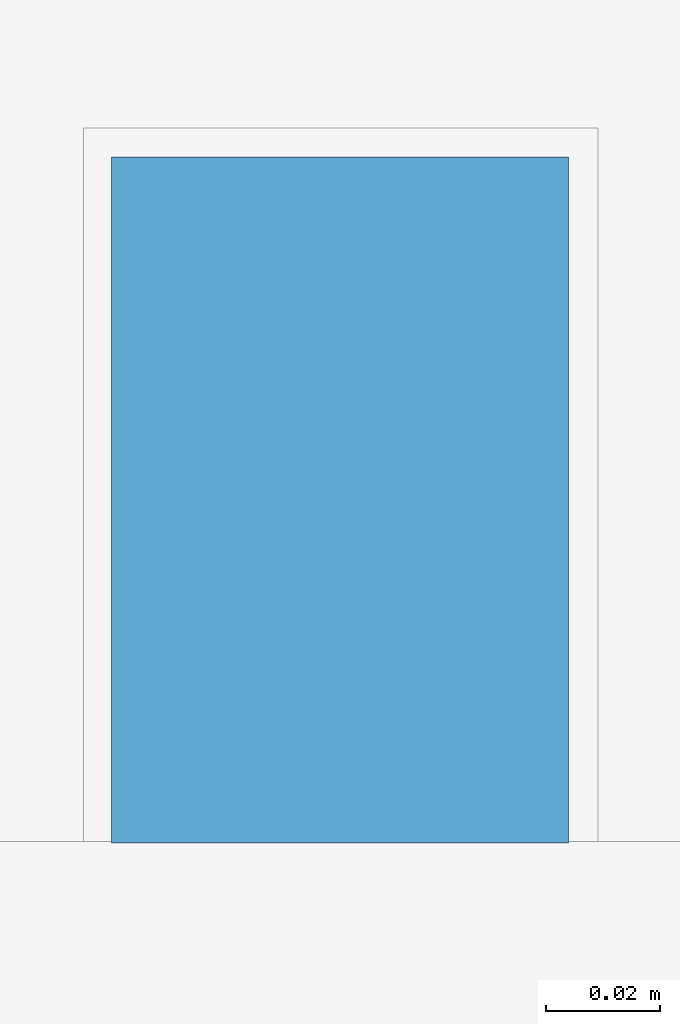
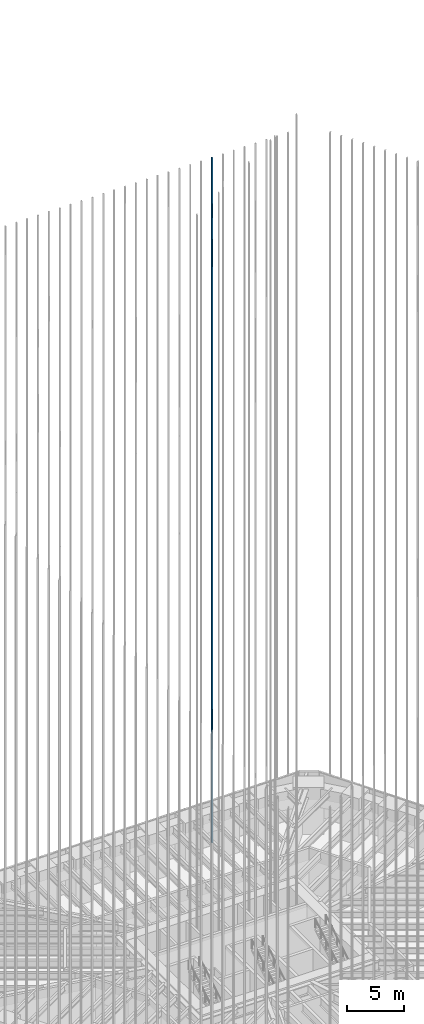
# One storey, part 207 of 228: 1 member, 1 element without a shape of its own.
"""IFC4 building model written with IfcOpenShell, lengths in metres."""

from ifc_helpers import new_model, si_unit, direction, frame, origin, origin_2d, place, context, subcontext, project, spatial, rectangle, extrude, material, material_profile, profile_set, type_object, element, aggregate, save


model = new_model("IFC4")

# Units and contexts
model_context = context("Model", 3, precision=1e-05, world=origin(), true_north=direction((0.0, 1.0)))
body_context = subcontext(model_context, "Body", "Model", "MODEL_VIEW")
ifc_project = project(units=[si_unit("LENGTHUNIT", "METRE"), si_unit("AREAUNIT", "SQUARE_METRE"), si_unit("VOLUMEUNIT", "CUBIC_METRE"), si_unit("PLANEANGLEUNIT", "RADIAN"), si_unit("MASSUNIT", "GRAM", prefix="KILO")], contexts=[model_context])

# Site, building, storey
site_placement = place(None, origin())
site = spatial("IfcSite", under=ifc_project, at=site_placement, CompositionType="ELEMENT")
building_placement = place(site_placement, origin())
building = spatial("IfcBuilding", under=site, at=building_placement, Name="Sandreach Pilgrim Tower", CompositionType="ELEMENT")
storey_placement = place(building_placement, frame((0.0, 0.0, 178.199951171875)))
storey = spatial("IfcBuildingStorey", under=building, at=storey_placement, Name="L44", CompositionType="ELEMENT", Elevation=178.199951171875)

# Curtain wall, member
ifc_material_1 = material(Name="Aluminium framed curtain wall", Category="aluminium")
curtain_wall_type = type_object("IfcCurtainWallType", Name="Upper hotel tower curtain wall", PredefinedType="NOTDEFINED", material=ifc_material_1)
curtain_wall_placement = place(storey_placement, origin())
curtain_wall = element("IfcCurtainWall", 1, at=curtain_wall_placement, inside=storey, type_object=curtain_wall_type, Name="CW-3 L44 N", PredefinedType="NOTDEFINED")
ifc_material_2 = material(Name="Extruded terracotta on aluminium core", Category="masonry")
ifc_material_profile = material_profile(ifc_material_2, rectangle(XDim=0.080078125, YDim=0.1201171875, at=origin_2d()), Name="TBN 80X120")
ifc_profile_set = profile_set([ifc_material_profile], Name="Extruded terracotta on aluminium core")
member_type = type_object("IfcMemberType", Name="Terracotta baguette north", PredefinedType="USERDEFINED", material=ifc_profile_set)
member_placement = place(storey_placement, frame((8.798828125, 21.52001953125, 0.0), z_axis=(0.0, 0.0, 1.0), x_axis=(1.0, 0.0, 0.0)))
member = element("IfcMember", 2, at=member_placement, type_object=member_type, Name="Baguette Z3 N24", ObjectType="BAGUETTE", PredefinedType="USERDEFINED", context=body_context, shape_type="SweptSolid", body=[
    extrude(rectangle(XDim=0.080078125, YDim=0.1201171875, at=origin_2d()), origin(), (0.0, 0.0, 1.0), 73.239990234375),
])
aggregate(curtain_wall, [member])

save(model, "model.ifc")
